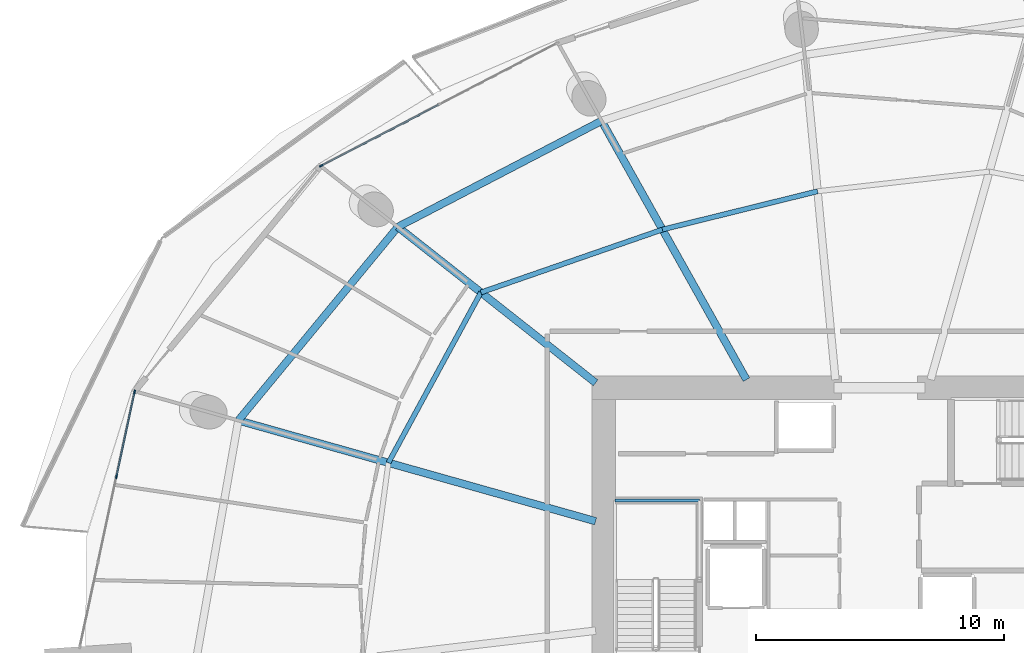
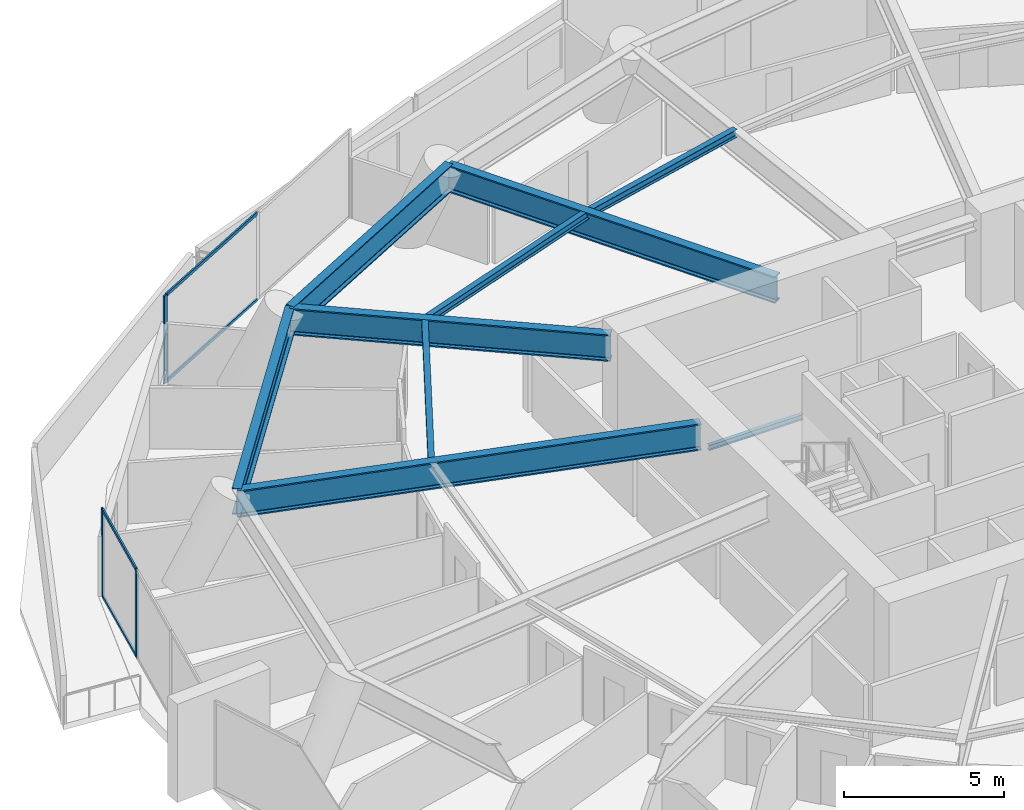
# One storey, part 11 of 31: 9 beams, 7 members, 2 elements without a shape of their own.
"""IFC4 building model written with IfcOpenShell, lengths in metres."""

from ifc_helpers import new_model, si_unit, direction, frame, origin, origin_2d, place, context, subcontext, project, spatial, rectangle, i_section, extrude, material, layer, layer_set, material_profile, profile_set, type_object, element, aggregate, save


model = new_model("IFC4")

# Units and contexts
model_context = context("Model", 3, precision=1e-05, world=origin(), true_north=direction((0.0, 1.0)))
body_context = subcontext(model_context, "Body", "Model", "MODEL_VIEW")
ifc_project = project(units=[si_unit("LENGTHUNIT", "METRE"), si_unit("AREAUNIT", "SQUARE_METRE"), si_unit("VOLUMEUNIT", "CUBIC_METRE"), si_unit("PLANEANGLEUNIT", "RADIAN"), si_unit("MASSUNIT", "GRAM", prefix="KILO")], contexts=[model_context])

# Site, building, storey
site_placement = place(None, origin())
site = spatial("IfcSite", under=ifc_project, at=site_placement, CompositionType="ELEMENT")
building_placement = place(site_placement, origin())
building = spatial("IfcBuilding", under=site, at=building_placement, Name="Kazma Halo Residences", CompositionType="ELEMENT")
storey_placement = place(building_placement, frame((0.0, 0.0, 71.39990234375)))
storey = spatial("IfcBuildingStorey", under=building, at=storey_placement, Name="L17", CompositionType="ELEMENT", Elevation=71.39990234375)

# Beams
ifc_material_1 = material(Name="Steel S355", Category="steel")
ifc_material_profile_1 = material_profile(ifc_material_1, i_section(OverallWidth=0.202880859375, OverallDepth=0.302978515625, WebThickness=0.007568359375, FlangeThickness=0.01318359375, FilletRadius=0.013916015625, at=origin_2d()), Name="W310x60")
ifc_profile_set_1 = profile_set([ifc_material_profile_1], Name="Steel S355")
beam_type_1 = type_object("IfcBeamType", Name="BM-SEC-W310A", PredefinedType="JOIST", material=ifc_profile_set_1)
beam_1_placement = place(storey_placement, frame((45.931640625, 58.380126953125, 3.198486328125), z_axis=(-0.970890554879, -0.239523548836, 0.0), x_axis=(0.239523548836, -0.970890554879, 0.0)))
element("IfcBeam", 1, at=beam_1_placement, inside=storey, type_object=beam_type_1, Name="L17 circumferential floor joist 04", PredefinedType="JOIST", context=body_context, shape_type="SweptSolid", body=[
    extrude(i_section(OverallWidth=0.202880859375, OverallDepth=0.302978515625, WebThickness=0.007568359375, FlangeThickness=0.01318359375, FilletRadius=0.013916015625, at=origin_2d()), origin(), (0.0, 0.0, 1.0), 6.4296875),
])
beam_2_placement = place(storey_placement, frame((39.689208984375, 56.840087890625, 3.198486328125), z_axis=(-0.944936499135, -0.32725374345, 0.0), x_axis=(0.32725374345, -0.944936499135, 0.0)))
element("IfcBeam", 2, at=beam_2_placement, inside=storey, type_object=beam_type_1, Name="L17 circumferential floor joist 05", PredefinedType="JOIST", context=body_context, shape_type="SweptSolid", body=[
    extrude(i_section(OverallWidth=0.202880859375, OverallDepth=0.302978515625, WebThickness=0.007568359375, FlangeThickness=0.01318359375, FilletRadius=0.013916015625, at=origin_2d()), origin(), (0.0, 0.0, 1.0), 7.73046875),
])
beam_3_placement = place(storey_placement, frame((32.384521484375, 54.310302734375, 3.198486328125), z_axis=(-0.477187159755, -0.8788016924, 0.0), x_axis=(0.8788016924, -0.477187159755, 0.0)))
element("IfcBeam", 3, at=beam_3_placement, inside=storey, type_object=beam_type_1, Name="L17 circumferential floor joist 06", PredefinedType="JOIST", context=body_context, shape_type="SweptSolid", body=[
    extrude(i_section(OverallWidth=0.202880859375, OverallDepth=0.302978515625, WebThickness=0.007568359375, FlangeThickness=0.01318359375, FilletRadius=0.013916015625, at=origin_2d()), origin(), (0.0, 0.0, 1.0), 7.8017578125),
])
ifc_material_profile_2 = material_profile(ifc_material_1, i_section(OverallWidth=0.302001953125, OverallDepth=1.01806640625, WebThickness=0.021484375, FlangeThickness=0.049072265625, FilletRadius=0.028076171875, at=origin_2d()), Name="W1000x443")
ifc_profile_set_2 = profile_set([ifc_material_profile_2], Name="Steel S355")
beam_type_2 = type_object("IfcBeamType", Name="BM-TRANS-W1000A", PredefinedType="BEAM", material=ifc_profile_set_2)
beam_4_placement = place(storey_placement, frame((43.07177734375, 50.800048828125, 2.841064453125), z_axis=(-0.488622054606, 0.872495551709, 0.0), x_axis=(-0.872495551709, -0.488622054606, 0.0)))
element("IfcBeam", 4, at=beam_4_placement, inside=storey, type_object=beam_type_2, Name="L17 podium radial transfer girder 05", PredefinedType="BEAM", context=body_context, shape_type="SweptSolid", body=[
    extrude(i_section(OverallWidth=0.302001953125, OverallDepth=1.01806640625, WebThickness=0.021484375, FlangeThickness=0.049072265625, FilletRadius=0.028076171875, at=origin_2d()), origin(), (0.0, 0.0, 1.0), 11.935791015625),
])
beam_5_placement = place(storey_placement, frame((37.0, 50.671630859375, 2.841064453125), z_axis=(-0.785312414462, 0.619099678317, 0.0), x_axis=(-0.619099678317, -0.785312414462, 0.0)))
element("IfcBeam", 5, at=beam_5_placement, inside=storey, type_object=beam_type_2, Name="L17 podium radial transfer girder 06", PredefinedType="BEAM", context=body_context, shape_type="SweptSolid", body=[
    extrude(i_section(OverallWidth=0.302001953125, OverallDepth=1.01806640625, WebThickness=0.021484375, FlangeThickness=0.049072265625, FilletRadius=0.028076171875, at=origin_2d()), origin(), (0.0, 0.0, 1.0), 10.133544921875),
])
beam_6_placement = place(storey_placement, frame((37.0, 45.102294921875, 2.841064453125), z_axis=(-0.962454602945, 0.271442696108, 0.0), x_axis=(-0.271442696108, -0.962454602945, 0.0)))
element("IfcBeam", 6, at=beam_6_placement, inside=storey, type_object=beam_type_2, Name="L17 podium radial transfer girder 07", PredefinedType="BEAM", context=body_context, shape_type="SweptSolid", body=[
    extrude(i_section(OverallWidth=0.302001953125, OverallDepth=1.01806640625, WebThickness=0.021484375, FlangeThickness=0.049072265625, FilletRadius=0.028076171875, at=origin_2d()), origin(), (0.0, 0.0, 1.0), 14.9375),
])
ifc_material_profile_3 = material_profile(ifc_material_1, i_section(OverallWidth=0.300048828125, OverallDepth=1.0, WebThickness=0.01904296875, FlangeThickness=0.0400390625, FilletRadius=0.02587890625, at=origin_2d()), Name="W1000x371")
ifc_profile_set_3 = profile_set([ifc_material_profile_3], Name="Steel S355")
beam_type_3 = type_object("IfcBeamType", Name="BM-TRANS-W1000B", PredefinedType="BEAM", material=ifc_profile_set_3)
beam_7_placement = place(storey_placement, frame((37.23974609375, 61.2138671875, 2.85009765625), z_axis=(-0.886963229644, -0.461840047266, 0.0), x_axis=(0.461840047266, -0.886963229644, 0.0)))
element("IfcBeam", 7, at=beam_7_placement, inside=storey, type_object=beam_type_3, Name="L17 perimeter ring beam 05", PredefinedType="BEAM", context=body_context, shape_type="SweptSolid", body=[
    extrude(i_section(OverallWidth=0.300048828125, OverallDepth=1.0, WebThickness=0.01904296875, FlangeThickness=0.0400390625, FilletRadius=0.02587890625, at=origin_2d()), origin(), (0.0, 0.0, 1.0), 9.242431640625),
])
beam_8_placement = place(storey_placement, frame((29.0419921875, 56.9453125, 2.85009765625), z_axis=(-0.635989564566, -0.771697656963, 0.0), x_axis=(0.771697656963, -0.635989564566, 0.0)))
element("IfcBeam", 8, at=beam_8_placement, inside=storey, type_object=beam_type_3, Name="L17 perimeter ring beam 06", PredefinedType="BEAM", context=body_context, shape_type="SweptSolid", body=[
    extrude(i_section(OverallWidth=0.300048828125, OverallDepth=1.0, WebThickness=0.01904296875, FlangeThickness=0.0400390625, FilletRadius=0.02587890625, at=origin_2d()), origin(), (0.0, 0.0, 1.0), 10.092529296875),
])
ifc_material_profile_4 = material_profile(ifc_material_1, i_section(OverallWidth=0.133056640625, OverallDepth=0.20703125, WebThickness=0.005859375, FlangeThickness=0.00830078125, FilletRadius=0.010009765625, at=origin_2d()), Name="W200x26.6")
ifc_profile_set_4 = profile_set([ifc_material_profile_4], Name="Steel S355")
beam_type_4 = type_object("IfcBeamType", Name="BM-TRIM-W200", PredefinedType="BEAM", material=ifc_profile_set_4)
beam_9_placement = place(storey_placement, frame((37.780029296875, 45.93994140625, 1.570068359375), z_axis=(1.0, 0.0, 0.0), x_axis=(0.0, 1.0, 0.0)))
element("IfcBeam", 9, at=beam_9_placement, inside=storey, type_object=beam_type_4, Name="L17 ST-01 landing end wall ledger", PredefinedType="BEAM", context=body_context, shape_type="SweptSolid", body=[
    extrude(i_section(OverallWidth=0.133056640625, OverallDepth=0.20703125, WebThickness=0.005859375, FlangeThickness=0.00830078125, FilletRadius=0.010009765625, at=origin_2d()), origin(), (0.0, 0.0, 1.0), 3.39990234375),
])

# Curtain wall, member
ifc_material_2 = material(Name="Aluminium AW-6063 T6 and Triple-Silver Low-E Glass", Category="aluminium")
ifc_layer = layer(ifc_material_2, 0.159912109375)
ifc_layer_set = layer_set([ifc_layer], Name="Aluminium AW-6063 T6 and Triple-Silver Low-E Glass")
curtain_wall_type = type_object("IfcCurtainWallType", Name="CW-SYS-2", PredefinedType="NOTDEFINED", material=ifc_layer_set)
curtain_wall_1_placement = place(storey_placement, origin())
curtain_wall_1 = element("IfcCurtainWall", 10, at=curtain_wall_1_placement, inside=storey, type_object=curtain_wall_type, Name="L17 unitised curtain wall B05", PredefinedType="NOTDEFINED")
ifc_material_3 = material(Name="Aluminium AW-6063 T6", Category="aluminium")
ifc_material_profile_5 = material_profile(ifc_material_3, rectangle(XDim=0.06005859375, YDim=0.159912109375, at=origin_2d()), Name="CWM-60x160")
ifc_profile_set_5 = profile_set([ifc_material_profile_5], Name="Aluminium AW-6063 T6")
member_type_1 = type_object("IfcMemberType", Name="CW-SYS-2-MUL", PredefinedType="MULLION", material=ifc_profile_set_5)
member_1_placement = place(storey_placement, frame((25.96142578125, 59.408447265625, 0.0), z_axis=(0.0, 0.0, 1.0), x_axis=(0.460995912628, -0.887402258584, 0.0)))
member_1 = element("IfcMember", 11, at=member_1_placement, type_object=member_type_1, Name="CWS-2 mullion 3", PredefinedType="MULLION", context=body_context, shape_type="SweptSolid", body=[
    extrude(rectangle(XDim=0.06005859375, YDim=0.159912109375, at=origin_2d()), origin(), (0.0, 0.0, 1.0), 3.35009765625),
])

# Curtain wall, members
curtain_wall_2_placement = place(storey_placement, origin())
curtain_wall_2 = element("IfcCurtainWall", 12, at=curtain_wall_2_placement, inside=storey, type_object=curtain_wall_type, Name="L17 unitised curtain wall B07", PredefinedType="NOTDEFINED")
member_2_placement = place(storey_placement, frame((18.447021484375, 50.3037109375, 0.0), z_axis=(0.0, 0.0, 1.0), x_axis=(0.977779215096, -0.209637321406, 0.0)))
member_2 = element("IfcMember", 13, at=member_2_placement, type_object=member_type_1, Name="CWS-2 mullion 1", PredefinedType="MULLION", context=body_context, shape_type="SweptSolid", body=[
    extrude(rectangle(XDim=0.06005859375, YDim=0.159912109375, at=origin_2d()), origin(), (0.0, 0.0, 1.0), 3.35009765625),
])
member_3_placement = place(storey_placement, frame((17.717041015625, 46.898681640625, 0.0), z_axis=(0.0, 0.0, 1.0), x_axis=(0.977779215096, -0.209637321406, 0.0)))
member_3 = element("IfcMember", 14, at=member_3_placement, type_object=member_type_1, Name="CWS-2 mullion 2", PredefinedType="MULLION", context=body_context, shape_type="SweptSolid", body=[
    extrude(rectangle(XDim=0.06005859375, YDim=0.159912109375, at=origin_2d()), origin(), (0.0, 0.0, 1.0), 3.35009765625),
])

# Member
ifc_material_profile_6 = material_profile(ifc_material_3, rectangle(XDim=0.06005859375, YDim=0.1201171875, at=origin_2d()), Name="CWT-60x120")
ifc_profile_set_6 = profile_set([ifc_material_profile_6], Name="Aluminium AW-6063 T6")
member_type_2 = type_object("IfcMemberType", Name="CW-SYS-2-TRN", PredefinedType="USERDEFINED", material=ifc_profile_set_6)
member_4_placement = place(storey_placement, frame((30.681396484375, 61.8603515625, 0.030029296875), z_axis=(-0.887414738583, -0.460971888238, 0.0), x_axis=(0.460971888238, -0.887414738583, 0.0)))
member_4 = element("IfcMember", 15, at=member_4_placement, type_object=member_type_2, Name="CWS-2 transom 2.1", ObjectType="TRANSOM", PredefinedType="USERDEFINED", context=body_context, shape_type="SweptSolid", body=[
    extrude(rectangle(XDim=0.06005859375, YDim=0.1201171875, at=origin_2d()), origin(), (0.0, 0.0, 1.0), 5.288818359375),
])

member_5_placement = place(storey_placement, frame((30.681396484375, 61.8603515625, 3.320068359375), z_axis=(-0.887414738583, -0.460971888238, 0.0), x_axis=(0.460971888238, -0.887414738583, 0.0)))
member_5 = element("IfcMember", 16, at=member_5_placement, type_object=member_type_2, Name="CWS-2 transom 2.2", ObjectType="TRANSOM", PredefinedType="USERDEFINED", context=body_context, shape_type="SweptSolid", body=[
    extrude(rectangle(XDim=0.06005859375, YDim=0.1201171875, at=origin_2d()), origin(), (0.0, 0.0, 1.0), 5.288818359375),
])

aggregate(curtain_wall_1, [member_1, member_4, member_5])

member_6_placement = place(storey_placement, frame((18.440673828125, 50.2744140625, 0.030029296875), z_axis=(-0.209650877007, -0.977776308657, 0.0), x_axis=(0.977776308657, -0.209650877007, 0.0)))
member_6 = element("IfcMember", 17, at=member_6_placement, type_object=member_type_2, Name="CWS-2 transom 1.1", ObjectType="TRANSOM", PredefinedType="USERDEFINED", context=body_context, shape_type="SweptSolid", body=[
    extrude(rectangle(XDim=0.06005859375, YDim=0.1201171875, at=origin_2d()), origin(), (0.0, 0.0, 1.0), 3.422607421875),
])

member_7_placement = place(storey_placement, frame((18.440673828125, 50.2744140625, 3.320068359375), z_axis=(-0.209650877007, -0.977776308657, 0.0), x_axis=(0.977776308657, -0.209650877007, 0.0)))
member_7 = element("IfcMember", 18, at=member_7_placement, type_object=member_type_2, Name="CWS-2 transom 1.2", ObjectType="TRANSOM", PredefinedType="USERDEFINED", context=body_context, shape_type="SweptSolid", body=[
    extrude(rectangle(XDim=0.06005859375, YDim=0.1201171875, at=origin_2d()), origin(), (0.0, 0.0, 1.0), 3.422607421875),
])

aggregate(curtain_wall_2, [member_2, member_3, member_6, member_7])

save(model, "model.ifc")
